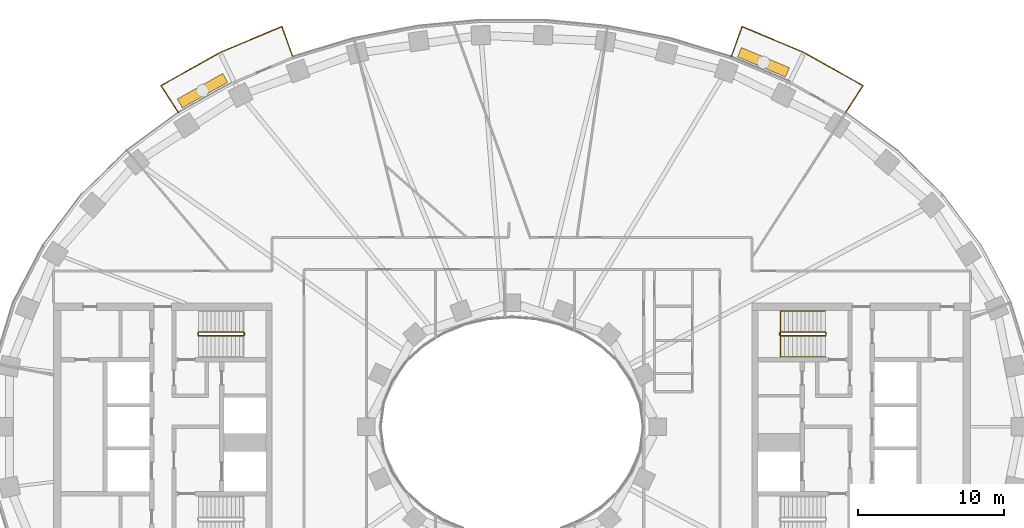
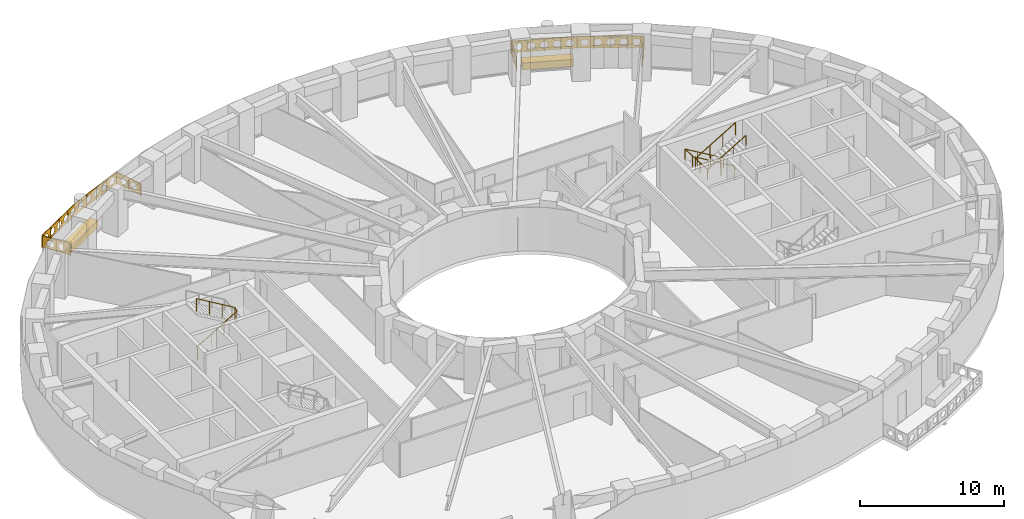
# One storey, part 14 of 15: 5 railings, 2 coverings.
"""IFC4 building model written with IfcOpenShell, lengths in metres."""

from ifc_helpers import new_model, si_unit, direction, frame, origin, origin_2d, place, context, subcontext, project, spatial, polyline, rectangle, outline, extrude, material, type_object, element, save


model = new_model("IFC4")

# Units and contexts
model_context = context("Model", 3, precision=1e-05, world=origin(), true_north=direction((0.0, 1.0)))
body_context = subcontext(model_context, "Body", "Model", "MODEL_VIEW")
ifc_project = project(units=[si_unit("LENGTHUNIT", "METRE"), si_unit("AREAUNIT", "SQUARE_METRE"), si_unit("VOLUMEUNIT", "CUBIC_METRE"), si_unit("PLANEANGLEUNIT", "RADIAN"), si_unit("MASSUNIT", "GRAM", prefix="KILO")], contexts=[model_context])

# Site, building, storey
site_placement = place(None, origin())
site = spatial("IfcSite", under=ifc_project, at=site_placement, CompositionType="ELEMENT")
building_placement = place(site_placement, origin())
building = spatial("IfcBuilding", under=site, at=building_placement, Name="Noorbagh Ring Tower", CompositionType="ELEMENT")
storey_placement = place(building_placement, frame((0.0, 0.0, 104.0)))
storey = spatial("IfcBuildingStorey", under=building, at=storey_placement, Name="L23", CompositionType="ELEMENT", Elevation=104.0)

# Railings
ifc_material_1 = material(Name="Stainless steel", Category="steel")
railing_type_1 = type_object("IfcRailingType", Name="CORE-STAIR-GUARD", PredefinedType="GUARDRAIL", material=ifc_material_1)
railing_1_placement = place(storey_placement, frame((-21.580078125, 6.300048828125, 0.0)))
element("IfcRailing", 1, at=railing_1_placement, inside=storey, type_object=railing_type_1, Name="L23 ST1 stair guard", PredefinedType="GUARDRAIL", context=body_context, shape_type="SweptSolid", body=[
    extrude(rectangle(XDim=0.048095703125, YDim=0.048095703125, at=origin_2d()), frame((0.0, 0.0, 1.076171875), z_axis=(0.0, 1.0, 0.0), x_axis=(-1.0, 0.0, 0.0)), (0.0, 0.0, 1.0), 0.14990234375),
    extrude(rectangle(XDim=0.048095703125, YDim=0.048095703125, at=origin_2d()), frame((0.0, 0.14990234375, 1.076171875), z_axis=(0.188775798145, -0.754182335027, 0.628945707965), x_axis=(0.970072785993, 0.242814311512, 0.0)), (0.0, 0.0, 1.0), 0.26513671875),
    extrude(rectangle(XDim=0.048095703125, YDim=0.048095703125, at=origin_2d()), frame((0.050048828125, -0.050048828125, 1.24267578125), z_axis=(0.859308565015, 0.0, 0.511457515432), x_axis=(0.0, 1.0, 0.0)), (0.0, 0.0, 1.0), 3.58447265625),
    extrude(rectangle(XDim=0.048095703125, YDim=0.048095703125, at=origin_2d()), frame((3.130126953125, -0.050048828125, 3.076171875), z_axis=(0.707106781187, 0.707106781187, 0.0), x_axis=(-0.707106781187, 0.707106781187, 0.0)), (0.0, 0.0, 1.0), 0.07080078125),
    extrude(rectangle(XDim=0.048095703125, YDim=0.048095703125, at=origin_2d()), frame((3.18017578125, 0.0, 3.076171875), z_axis=(0.0, 1.0, 0.0), x_axis=(-1.0, 0.0, 0.0)), (0.0, 0.0, 1.0), 0.14990234375),
    extrude(rectangle(XDim=0.048095703125, YDim=0.048095703125, at=origin_2d()), frame((3.18017578125, 0.14990234375, 3.076171875), z_axis=(-0.27628659633, 0.27628659633, 0.920506074601), x_axis=(-0.707106781187, -0.707106781187, 0.0)), (0.0, 0.0, 1.0), 0.18115234375),
    extrude(rectangle(XDim=0.048095703125, YDim=0.048095703125, at=origin_2d()), frame((3.130126953125, 0.199951171875, 3.24267578125), z_axis=(-0.859308565015, 0.0, 0.511457515432), x_axis=(0.0, -1.0, 0.0)), (0.0, 0.0, 1.0), 3.58447265625),
    extrude(rectangle(XDim=0.0419921875, YDim=0.0419921875, at=origin_2d()), origin(), (0.0, 0.0, 1.0), 1.052001953125),
    extrude(rectangle(XDim=0.0419921875, YDim=0.0419921875, at=origin_2d()), frame((1.07666015625, -0.050048828125, 0.77783203125)), (0.0, 0.0, 1.0), 1.052001953125),
    extrude(rectangle(XDim=0.0419921875, YDim=0.0419921875, at=origin_2d()), frame((2.103515625, -0.050048828125, 1.388916015625)), (0.0, 0.0, 1.0), 1.052001953125),
    extrude(rectangle(XDim=0.0419921875, YDim=0.0419921875, at=origin_2d()), frame((3.130126953125, -0.050048828125, 2.0)), (0.0, 0.0, 1.0), 1.052001953125),
    extrude(rectangle(XDim=0.0419921875, YDim=0.0419921875, at=origin_2d()), frame((3.130126953125, 0.199951171875, 2.166748046875)), (0.0, 0.0, 1.0), 1.052001953125),
    extrude(rectangle(XDim=0.0419921875, YDim=0.0419921875, at=origin_2d()), frame((2.103515625, 0.199951171875, 2.77783203125)), (0.0, 0.0, 1.0), 1.052001953125),
    extrude(rectangle(XDim=0.0419921875, YDim=0.0419921875, at=origin_2d()), frame((1.07666015625, 0.199951171875, 3.388916015625)), (0.0, 0.0, 1.0), 1.052001953125),
    extrude(rectangle(XDim=0.0419921875, YDim=0.0419921875, at=origin_2d()), frame((0.050048828125, 0.199951171875, 4.0)), (0.0, 0.0, 1.0), 1.052001953125),
])
railing_2_placement = place(storey_placement, frame((21.580078125, 6.449951171875, 0.0)))
element("IfcRailing", 2, at=railing_2_placement, inside=storey, type_object=railing_type_1, Name="L23 ST3 stair guard", PredefinedType="GUARDRAIL", context=body_context, shape_type="SweptSolid", body=[
    extrude(rectangle(XDim=0.048095703125, YDim=0.048095703125, at=origin_2d()), frame((0.0, 0.0, 1.076171875), z_axis=(0.0, -1.0, 0.0), x_axis=(1.0, 0.0, 0.0)), (0.0, 0.0, 1.0), 0.14990234375),
    extrude(rectangle(XDim=0.048095703125, YDim=0.048095703125, at=origin_2d()), frame((0.0, -0.14990234375, 1.076171875), z_axis=(-0.188775798145, 0.754182335027, 0.628945707965), x_axis=(-0.970072785993, -0.242814311512, 0.0)), (0.0, 0.0, 1.0), 0.26513671875),
    extrude(rectangle(XDim=0.048095703125, YDim=0.048095703125, at=origin_2d()), frame((-0.050048828125, 0.050048828125, 1.24267578125), z_axis=(-0.859308565015, 0.0, 0.511457515432), x_axis=(0.0, -1.0, 0.0)), (0.0, 0.0, 1.0), 3.58447265625),
    extrude(rectangle(XDim=0.048095703125, YDim=0.048095703125, at=origin_2d()), frame((-3.130126953125, 0.050048828125, 3.076171875), z_axis=(-0.707106781187, -0.707106781187, 0.0), x_axis=(0.707106781187, -0.707106781187, 0.0)), (0.0, 0.0, 1.0), 0.07080078125),
    extrude(rectangle(XDim=0.048095703125, YDim=0.048095703125, at=origin_2d()), frame((-3.18017578125, 0.0, 3.076171875), z_axis=(0.0, -1.0, 0.0), x_axis=(1.0, 0.0, 0.0)), (0.0, 0.0, 1.0), 0.14990234375),
    extrude(rectangle(XDim=0.048095703125, YDim=0.048095703125, at=origin_2d()), frame((-3.18017578125, -0.14990234375, 3.076171875), z_axis=(0.27628659633, -0.27628659633, 0.920506074601), x_axis=(0.707106781187, 0.707106781187, 0.0)), (0.0, 0.0, 1.0), 0.18115234375),
    extrude(rectangle(XDim=0.048095703125, YDim=0.048095703125, at=origin_2d()), frame((-3.130126953125, -0.199951171875, 3.24267578125), z_axis=(0.859308565015, 0.0, 0.511457515432), x_axis=(0.0, 1.0, 0.0)), (0.0, 0.0, 1.0), 3.58447265625),
    extrude(rectangle(XDim=0.0419921875, YDim=0.0419921875, at=origin_2d()), origin(), (0.0, 0.0, 1.0), 1.052001953125),
    extrude(rectangle(XDim=0.0419921875, YDim=0.0419921875, at=origin_2d()), frame((-1.07666015625, 0.050048828125, 0.77783203125)), (0.0, 0.0, 1.0), 1.052001953125),
    extrude(rectangle(XDim=0.0419921875, YDim=0.0419921875, at=origin_2d()), frame((-2.103515625, 0.050048828125, 1.388916015625)), (0.0, 0.0, 1.0), 1.052001953125),
    extrude(rectangle(XDim=0.0419921875, YDim=0.0419921875, at=origin_2d()), frame((-3.130126953125, 0.050048828125, 2.0)), (0.0, 0.0, 1.0), 1.052001953125),
    extrude(rectangle(XDim=0.0419921875, YDim=0.0419921875, at=origin_2d()), frame((-3.130126953125, -0.199951171875, 2.166748046875)), (0.0, 0.0, 1.0), 1.052001953125),
    extrude(rectangle(XDim=0.0419921875, YDim=0.0419921875, at=origin_2d()), frame((-2.103515625, -0.199951171875, 2.77783203125)), (0.0, 0.0, 1.0), 1.052001953125),
    extrude(rectangle(XDim=0.0419921875, YDim=0.0419921875, at=origin_2d()), frame((-1.07666015625, -0.199951171875, 3.388916015625)), (0.0, 0.0, 1.0), 1.052001953125),
    extrude(rectangle(XDim=0.0419921875, YDim=0.0419921875, at=origin_2d()), frame((-0.050048828125, -0.199951171875, 4.0)), (0.0, 0.0, 1.0), 1.052001953125),
])
ifc_material_2 = material(Name="Stainless steel", Category="steel")
railing_type_2 = type_object("IfcRailingType", Name="CORE-STAIR-HANDRAIL", PredefinedType="HANDRAIL", material=ifc_material_2)
railing_3_placement = place(storey_placement, frame((21.530029296875, 7.949951171875, 0.166748046875)))
element("IfcRailing", 3, at=railing_3_placement, inside=storey, type_object=railing_type_2, Name="L23 ST3 stair handrail", PredefinedType="HANDRAIL", context=body_context, shape_type="SweptSolid", body=[
    extrude(rectangle(XDim=0.048095703125, YDim=0.048095703125, at=origin_2d()), frame((0.0, 0.0, 0.8759765625), z_axis=(-0.859308565015, 0.0, 0.511457515432), x_axis=(0.0, -1.0, 0.0)), (0.0, 0.0, 1.0), 3.58447265625),
    extrude(rectangle(XDim=0.048095703125, YDim=0.048095703125, at=origin_2d()), frame((-3.080078125, 0.0, 2.708984375), z_axis=(0.0, -0.998601747152, 0.052863509014), x_axis=(1.0, 0.0, 0.0)), (0.0, 0.0, 1.0), 3.154296875),
    extrude(rectangle(XDim=0.048095703125, YDim=0.048095703125, at=origin_2d()), frame((-3.080078125, -3.14990234375, 2.8759765625), z_axis=(0.859308565015, 0.0, 0.511457515432), x_axis=(0.0, 1.0, 0.0)), (0.0, 0.0, 1.0), 3.58447265625),
    extrude(rectangle(XDim=0.0419921875, YDim=0.0419921875, at=origin_2d()), origin(), (0.0, 0.0, 1.0), 0.851806640625),
    extrude(rectangle(XDim=0.0419921875, YDim=0.0419921875, at=origin_2d()), frame((-1.026611328125, 0.0, 0.611083984375)), (0.0, 0.0, 1.0), 0.851806640625),
    extrude(rectangle(XDim=0.0419921875, YDim=0.0419921875, at=origin_2d()), frame((-2.053466796875, 0.0, 1.22216796875)), (0.0, 0.0, 1.0), 0.851806640625),
    extrude(rectangle(XDim=0.0419921875, YDim=0.0419921875, at=origin_2d()), frame((-3.080078125, 0.0, 1.833251953125)), (0.0, 0.0, 1.0), 0.851806640625),
    extrude(rectangle(XDim=0.0419921875, YDim=0.0419921875, at=origin_2d()), frame((-3.080078125, -1.050048828125, 1.888916015625)), (0.0, 0.0, 1.0), 0.851806640625),
    extrude(rectangle(XDim=0.0419921875, YDim=0.0419921875, at=origin_2d()), frame((-3.080078125, -2.099853515625, 1.9443359375)), (0.0, 0.0, 1.0), 0.851806640625),
    extrude(rectangle(XDim=0.0419921875, YDim=0.0419921875, at=origin_2d()), frame((-3.080078125, -3.14990234375, 2.0)), (0.0, 0.0, 1.0), 0.851806640625),
    extrude(rectangle(XDim=0.0419921875, YDim=0.0419921875, at=origin_2d()), frame((-2.053466796875, -3.14990234375, 2.611083984375)), (0.0, 0.0, 1.0), 0.851806640625),
    extrude(rectangle(XDim=0.0419921875, YDim=0.0419921875, at=origin_2d()), frame((-1.026611328125, -3.14990234375, 3.22216796875)), (0.0, 0.0, 1.0), 0.851806640625),
    extrude(rectangle(XDim=0.0419921875, YDim=0.0419921875, at=origin_2d()), frame((0.0, -3.14990234375, 3.833251953125)), (0.0, 0.0, 1.0), 0.851806640625),
])
ifc_material_3 = material(Name="Steel S275 black powder-coated", Category="steel")
railing_type_3 = type_object("IfcRailingType", Name="ENV-GUARD", PredefinedType="GUARDRAIL", material=ifc_material_3)
railing_4_placement = place(storey_placement, frame((22.9326171875, 21.583740234375, 0.0)))
element("IfcRailing", 4, at=railing_4_placement, inside=storey, type_object=railing_type_3, Name="Balcony guard BN02", PredefinedType="GUARDRAIL", context=body_context, shape_type="SweptSolid", body=[
    extrude(rectangle(XDim=0.048095703125, YDim=0.048095703125, at=origin_2d()), frame((0.0, 0.0, 1.076171875), z_axis=(0.542268136821, 0.840205491406, 0.0), x_axis=(-0.840205491406, 0.542268136821, 0.0)), (0.0, 0.0, 1.0), 2.204345703125),
    extrude(rectangle(XDim=0.048095703125, YDim=0.048095703125, at=origin_2d()), frame((1.1953125, 1.85205078125, 1.076171875), z_axis=(-0.872052247658, 0.489412788303, 0.0), x_axis=(-0.489412788303, -0.872052247658, 0.0)), (0.0, 0.0, 1.0), 4.646240234375),
    extrude(rectangle(XDim=0.048095703125, YDim=0.048095703125, at=origin_2d()), frame((-2.8564453125, 4.1259765625, 1.076171875), z_axis=(-0.921809087722, 0.387644174203, 0.0), x_axis=(-0.387644174203, -0.921809087722, 0.0)), (0.0, 0.0, 1.0), 4.627197265625),
    extrude(rectangle(XDim=0.048095703125, YDim=0.048095703125, at=origin_2d()), frame((-7.121826171875, 5.919677734375, 1.076171875), z_axis=(-0.338350546839, -0.941020141896, 0.0), x_axis=(0.941020141896, -0.338350546839, 0.0)), (0.0, 0.0, 1.0), 2.202880859375),
    extrude(rectangle(XDim=0.0419921875, YDim=0.0419921875, at=origin_2d()), origin(), (0.0, 0.0, 1.0), 1.052001953125),
    extrude(rectangle(XDim=0.0419921875, YDim=0.0419921875, at=origin_2d()), frame((0.59765625, 0.926025390625, 0.0)), (0.0, 0.0, 1.0), 1.052001953125),
    extrude(rectangle(XDim=0.0419921875, YDim=0.0419921875, at=origin_2d()), frame((1.1953125, 1.85205078125, 0.0)), (0.0, 0.0, 1.0), 1.052001953125),
    extrude(rectangle(XDim=0.0419921875, YDim=0.0419921875, at=origin_2d()), frame((0.182373046875, 2.42041015625, 0.0)), (0.0, 0.0, 1.0), 1.052001953125),
    extrude(rectangle(XDim=0.0419921875, YDim=0.0419921875, at=origin_2d()), frame((-0.83056640625, 2.989013671875, 0.0)), (0.0, 0.0, 1.0), 1.052001953125),
    extrude(rectangle(XDim=0.0419921875, YDim=0.0419921875, at=origin_2d()), frame((-1.843505859375, 3.5576171875, 0.0)), (0.0, 0.0, 1.0), 1.052001953125),
    extrude(rectangle(XDim=0.0419921875, YDim=0.0419921875, at=origin_2d()), frame((-2.8564453125, 4.1259765625, 0.0)), (0.0, 0.0, 1.0), 1.052001953125),
    extrude(rectangle(XDim=0.0419921875, YDim=0.0419921875, at=origin_2d()), frame((-3.9228515625, 4.574462890625, 0.0)), (0.0, 0.0, 1.0), 1.052001953125),
    extrude(rectangle(XDim=0.0419921875, YDim=0.0419921875, at=origin_2d()), frame((-4.9892578125, 5.02294921875, 0.0)), (0.0, 0.0, 1.0), 1.052001953125),
    extrude(rectangle(XDim=0.0419921875, YDim=0.0419921875, at=origin_2d()), frame((-6.055419921875, 5.47119140625, 0.0)), (0.0, 0.0, 1.0), 1.052001953125),
    extrude(rectangle(XDim=0.0419921875, YDim=0.0419921875, at=origin_2d()), frame((-7.121826171875, 5.919677734375, 0.0)), (0.0, 0.0, 1.0), 1.052001953125),
    extrude(rectangle(XDim=0.0419921875, YDim=0.0419921875, at=origin_2d()), frame((-7.49462890625, 4.88330078125, 0.0)), (0.0, 0.0, 1.0), 1.052001953125),
    extrude(rectangle(XDim=0.0419921875, YDim=0.0419921875, at=origin_2d()), frame((-7.8671875, 3.8466796875, 0.0)), (0.0, 0.0, 1.0), 1.052001953125),
    extrude(outline(polyline([(0.0, 0.10009765625), (2.204345703125, 0.10009765625), (2.204345703125, 1.031982421875), (0.0, 1.031982421875), (0.0, 0.10009765625)]), holes=[polyline([(0.962158203125, 0.56591796875), (0.80712890625, 0.83447265625), (0.4970703125, 0.83447265625), (0.342041015625, 0.56591796875), (0.4970703125, 0.297607421875), (0.80712890625, 0.297607421875), (0.962158203125, 0.56591796875)]), polyline([(1.862060546875, 0.56591796875), (1.70703125, 0.83447265625), (1.397216796875, 0.83447265625), (1.2421875, 0.56591796875), (1.397216796875, 0.297607421875), (1.70703125, 0.297607421875), (1.862060546875, 0.56591796875)])]), frame((-0.00830078125, 0.00537109375, 0.0), z_axis=(0.840205491406, -0.542268136821, 0.0), x_axis=(0.542268136821, 0.840205491406, 0.0)), (0.0, 0.0, 1.0), 0.02001953125),
    extrude(outline(polyline([(0.0, 0.10009765625), (4.646240234375, 0.10009765625), (4.646240234375, 1.031982421875), (0.0, 1.031982421875), (0.0, 0.10009765625)]), holes=[polyline([(0.8330078125, 0.56591796875), (0.67822265625, 0.83447265625), (0.3681640625, 0.83447265625), (0.213134765625, 0.56591796875), (0.3681640625, 0.297607421875), (0.67822265625, 0.297607421875), (0.8330078125, 0.56591796875)]), polyline([(1.733154296875, 0.56591796875), (1.578125, 0.83447265625), (1.26806640625, 0.83447265625), (1.113037109375, 0.56591796875), (1.26806640625, 0.297607421875), (1.578125, 0.297607421875), (1.733154296875, 0.56591796875)]), polyline([(2.633056640625, 0.56591796875), (2.47802734375, 0.83447265625), (2.168212890625, 0.83447265625), (2.01318359375, 0.56591796875), (2.168212890625, 0.297607421875), (2.47802734375, 0.297607421875), (2.633056640625, 0.56591796875)]), polyline([(3.533203125, 0.56591796875), (3.378173828125, 0.83447265625), (3.068115234375, 0.83447265625), (2.9130859375, 0.56591796875), (3.068115234375, 0.297607421875), (3.378173828125, 0.297607421875), (3.533203125, 0.56591796875)]), polyline([(4.43310546875, 0.56591796875), (4.278076171875, 0.83447265625), (3.968017578125, 0.83447265625), (3.813232421875, 0.56591796875), (3.968017578125, 0.297607421875), (4.278076171875, 0.297607421875), (4.43310546875, 0.56591796875)])]), frame((1.1904296875, 1.84326171875, 0.0), z_axis=(0.489412788303, 0.872052247658, 0.0), x_axis=(-0.872052247658, 0.489412788303, 0.0)), (0.0, 0.0, 1.0), 0.02001953125),
    extrude(outline(polyline([(0.0, 0.10009765625), (4.627197265625, 0.10009765625), (4.627197265625, 1.031982421875), (0.0, 1.031982421875), (0.0, 0.10009765625)]), holes=[polyline([(0.823486328125, 0.56591796875), (0.668701171875, 0.83447265625), (0.358642578125, 0.83447265625), (0.20361328125, 0.56591796875), (0.358642578125, 0.297607421875), (0.668701171875, 0.297607421875), (0.823486328125, 0.56591796875)]), polyline([(1.7236328125, 0.56591796875), (1.568603515625, 0.83447265625), (1.258544921875, 0.83447265625), (1.103515625, 0.56591796875), (1.258544921875, 0.297607421875), (1.568603515625, 0.297607421875), (1.7236328125, 0.56591796875)]), polyline([(2.62353515625, 0.56591796875), (2.468505859375, 0.83447265625), (2.15869140625, 0.83447265625), (2.003662109375, 0.56591796875), (2.15869140625, 0.297607421875), (2.468505859375, 0.297607421875), (2.62353515625, 0.56591796875)]), polyline([(3.523681640625, 0.56591796875), (3.36865234375, 0.83447265625), (3.05859375, 0.83447265625), (2.903564453125, 0.56591796875), (3.05859375, 0.297607421875), (3.36865234375, 0.297607421875), (3.523681640625, 0.56591796875)]), polyline([(4.423583984375, 0.56591796875), (4.2685546875, 0.83447265625), (3.95849609375, 0.83447265625), (3.8037109375, 0.56591796875), (3.95849609375, 0.297607421875), (4.2685546875, 0.297607421875), (4.423583984375, 0.56591796875)])]), frame((-2.8603515625, 4.11669921875, 0.0), z_axis=(0.387644174203, 0.921809087722, 0.0), x_axis=(-0.921809087722, 0.387644174203, 0.0)), (0.0, 0.0, 1.0), 0.02001953125),
    extrude(outline(polyline([(0.0, 0.10009765625), (2.202880859375, 0.10009765625), (2.202880859375, 1.031982421875), (0.0, 1.031982421875), (0.0, 0.10009765625)]), holes=[polyline([(0.96142578125, 0.56591796875), (0.806396484375, 0.83447265625), (0.49658203125, 0.83447265625), (0.341552734375, 0.56591796875), (0.49658203125, 0.297607421875), (0.806396484375, 0.297607421875), (0.96142578125, 0.56591796875)]), polyline([(1.861572265625, 0.56591796875), (1.70654296875, 0.83447265625), (1.396484375, 0.83447265625), (1.241455078125, 0.56591796875), (1.396484375, 0.297607421875), (1.70654296875, 0.297607421875), (1.861572265625, 0.56591796875)])]), frame((-7.1123046875, 5.916259765625, 0.0), z_axis=(-0.941020141896, 0.338350546839, 0.0), x_axis=(-0.338350546839, -0.941020141896, 0.0)), (0.0, 0.0, 1.0), 0.02001953125),
])
railing_5_placement = place(storey_placement, frame((-15.0654296875, 25.430419921875, 0.0)))
element("IfcRailing", 5, at=railing_5_placement, inside=storey, type_object=railing_type_3, Name="Balcony guard BN05", PredefinedType="GUARDRAIL", context=body_context, shape_type="SweptSolid", body=[
    extrude(rectangle(XDim=0.048095703125, YDim=0.048095703125, at=origin_2d()), frame((0.0, 0.0, 1.076171875), z_axis=(-0.338350546839, 0.941020141896, 0.0), x_axis=(-0.941020141896, -0.338350546839, 0.0)), (0.0, 0.0, 1.0), 2.202880859375),
    extrude(rectangle(XDim=0.048095703125, YDim=0.048095703125, at=origin_2d()), frame((-0.745361328125, 2.072998046875, 1.076171875), z_axis=(-0.921809087722, -0.387644174203, 0.0), x_axis=(0.387644174203, -0.921809087722, 0.0)), (0.0, 0.0, 1.0), 4.627197265625),
    extrude(rectangle(XDim=0.048095703125, YDim=0.048095703125, at=origin_2d()), frame((-5.0107421875, 0.279296875, 1.076171875), z_axis=(-0.872052247658, -0.489412788303, 0.0), x_axis=(0.489412788303, -0.872052247658, 0.0)), (0.0, 0.0, 1.0), 4.646240234375),
    extrude(rectangle(XDim=0.048095703125, YDim=0.048095703125, at=origin_2d()), frame((-9.0625, -1.99462890625, 1.076171875), z_axis=(0.542268136821, -0.840205491406, 0.0), x_axis=(0.840205491406, 0.542268136821, 0.0)), (0.0, 0.0, 1.0), 2.204345703125),
    extrude(rectangle(XDim=0.0419921875, YDim=0.0419921875, at=origin_2d()), origin(), (0.0, 0.0, 1.0), 1.052001953125),
    extrude(rectangle(XDim=0.0419921875, YDim=0.0419921875, at=origin_2d()), frame((-0.37255859375, 1.03662109375, 0.0)), (0.0, 0.0, 1.0), 1.052001953125),
    extrude(rectangle(XDim=0.0419921875, YDim=0.0419921875, at=origin_2d()), frame((-0.745361328125, 2.072998046875, 0.0)), (0.0, 0.0, 1.0), 1.052001953125),
    extrude(rectangle(XDim=0.0419921875, YDim=0.0419921875, at=origin_2d()), frame((-1.811767578125, 1.62451171875, 0.0)), (0.0, 0.0, 1.0), 1.052001953125),
    extrude(rectangle(XDim=0.0419921875, YDim=0.0419921875, at=origin_2d()), frame((-2.8779296875, 1.17626953125, 0.0)), (0.0, 0.0, 1.0), 1.052001953125),
    extrude(rectangle(XDim=0.0419921875, YDim=0.0419921875, at=origin_2d()), frame((-3.9443359375, 0.727783203125, 0.0)), (0.0, 0.0, 1.0), 1.052001953125),
    extrude(rectangle(XDim=0.0419921875, YDim=0.0419921875, at=origin_2d()), frame((-5.0107421875, 0.279296875, 0.0)), (0.0, 0.0, 1.0), 1.052001953125),
    extrude(rectangle(XDim=0.0419921875, YDim=0.0419921875, at=origin_2d()), frame((-6.023681640625, -0.2890625, 0.0)), (0.0, 0.0, 1.0), 1.052001953125),
    extrude(rectangle(XDim=0.0419921875, YDim=0.0419921875, at=origin_2d()), frame((-7.03662109375, -0.857666015625, 0.0)), (0.0, 0.0, 1.0), 1.052001953125),
    extrude(rectangle(XDim=0.0419921875, YDim=0.0419921875, at=origin_2d()), frame((-8.049560546875, -1.42626953125, 0.0)), (0.0, 0.0, 1.0), 1.052001953125),
    extrude(rectangle(XDim=0.0419921875, YDim=0.0419921875, at=origin_2d()), frame((-9.0625, -1.99462890625, 0.0)), (0.0, 0.0, 1.0), 1.052001953125),
    extrude(rectangle(XDim=0.0419921875, YDim=0.0419921875, at=origin_2d()), frame((-8.46484375, -2.920654296875, 0.0)), (0.0, 0.0, 1.0), 1.052001953125),
    extrude(rectangle(XDim=0.0419921875, YDim=0.0419921875, at=origin_2d()), frame((-7.8671875, -3.8466796875, 0.0)), (0.0, 0.0, 1.0), 1.052001953125),
    extrude(outline(polyline([(0.0, 0.10009765625), (2.202880859375, 0.10009765625), (2.202880859375, 1.031982421875), (0.0, 1.031982421875), (0.0, 0.10009765625)]), holes=[polyline([(0.96142578125, 0.56591796875), (0.806396484375, 0.83447265625), (0.49658203125, 0.83447265625), (0.341552734375, 0.56591796875), (0.49658203125, 0.297607421875), (0.806396484375, 0.297607421875), (0.96142578125, 0.56591796875)]), polyline([(1.861572265625, 0.56591796875), (1.70654296875, 0.83447265625), (1.396484375, 0.83447265625), (1.241455078125, 0.56591796875), (1.396484375, 0.297607421875), (1.70654296875, 0.297607421875), (1.861572265625, 0.56591796875)])]), frame((-0.009521484375, -0.00341796875, 0.0), z_axis=(0.941020141896, 0.338350546839, 0.0), x_axis=(-0.338350546839, 0.941020141896, 0.0)), (0.0, 0.0, 1.0), 0.02001953125),
    extrude(outline(polyline([(0.0, 0.10009765625), (4.627197265625, 0.10009765625), (4.627197265625, 1.031982421875), (0.0, 1.031982421875), (0.0, 0.10009765625)]), holes=[polyline([(0.823486328125, 0.56591796875), (0.668701171875, 0.83447265625), (0.358642578125, 0.83447265625), (0.20361328125, 0.56591796875), (0.358642578125, 0.297607421875), (0.668701171875, 0.297607421875), (0.823486328125, 0.56591796875)]), polyline([(1.7236328125, 0.56591796875), (1.568603515625, 0.83447265625), (1.258544921875, 0.83447265625), (1.103515625, 0.56591796875), (1.258544921875, 0.297607421875), (1.568603515625, 0.297607421875), (1.7236328125, 0.56591796875)]), polyline([(2.62353515625, 0.56591796875), (2.468505859375, 0.83447265625), (2.15869140625, 0.83447265625), (2.003662109375, 0.56591796875), (2.15869140625, 0.297607421875), (2.468505859375, 0.297607421875), (2.62353515625, 0.56591796875)]), polyline([(3.523681640625, 0.56591796875), (3.36865234375, 0.83447265625), (3.05859375, 0.83447265625), (2.903564453125, 0.56591796875), (3.05859375, 0.297607421875), (3.36865234375, 0.297607421875), (3.523681640625, 0.56591796875)]), polyline([(4.423583984375, 0.56591796875), (4.2685546875, 0.83447265625), (3.95849609375, 0.83447265625), (3.8037109375, 0.56591796875), (3.95849609375, 0.297607421875), (4.2685546875, 0.297607421875), (4.423583984375, 0.56591796875)])]), frame((-0.741455078125, 2.063720703125, 0.0), z_axis=(-0.387644174203, 0.921809087722, 0.0), x_axis=(-0.921809087722, -0.387644174203, 0.0)), (0.0, 0.0, 1.0), 0.02001953125),
    extrude(outline(polyline([(0.0, 0.10009765625), (4.646240234375, 0.10009765625), (4.646240234375, 1.031982421875), (0.0, 1.031982421875), (0.0, 0.10009765625)]), holes=[polyline([(0.8330078125, 0.56591796875), (0.67822265625, 0.83447265625), (0.3681640625, 0.83447265625), (0.213134765625, 0.56591796875), (0.3681640625, 0.297607421875), (0.67822265625, 0.297607421875), (0.8330078125, 0.56591796875)]), polyline([(1.733154296875, 0.56591796875), (1.578125, 0.83447265625), (1.26806640625, 0.83447265625), (1.113037109375, 0.56591796875), (1.26806640625, 0.297607421875), (1.578125, 0.297607421875), (1.733154296875, 0.56591796875)]), polyline([(2.633056640625, 0.56591796875), (2.47802734375, 0.83447265625), (2.168212890625, 0.83447265625), (2.01318359375, 0.56591796875), (2.168212890625, 0.297607421875), (2.47802734375, 0.297607421875), (2.633056640625, 0.56591796875)]), polyline([(3.533203125, 0.56591796875), (3.378173828125, 0.83447265625), (3.068115234375, 0.83447265625), (2.9130859375, 0.56591796875), (3.068115234375, 0.297607421875), (3.378173828125, 0.297607421875), (3.533203125, 0.56591796875)]), polyline([(4.43310546875, 0.56591796875), (4.278076171875, 0.83447265625), (3.968017578125, 0.83447265625), (3.813232421875, 0.56591796875), (3.968017578125, 0.297607421875), (4.278076171875, 0.297607421875), (4.43310546875, 0.56591796875)])]), frame((-5.005859375, 0.2705078125, 0.0), z_axis=(-0.489412788303, 0.872052247658, 0.0), x_axis=(-0.872052247658, -0.489412788303, 0.0)), (0.0, 0.0, 1.0), 0.02001953125),
    extrude(outline(polyline([(0.0, 0.10009765625), (2.204345703125, 0.10009765625), (2.204345703125, 1.031982421875), (0.0, 1.031982421875), (0.0, 0.10009765625)]), holes=[polyline([(0.962158203125, 0.56591796875), (0.80712890625, 0.83447265625), (0.4970703125, 0.83447265625), (0.342041015625, 0.56591796875), (0.4970703125, 0.297607421875), (0.80712890625, 0.297607421875), (0.962158203125, 0.56591796875)]), polyline([(1.862060546875, 0.56591796875), (1.70703125, 0.83447265625), (1.397216796875, 0.83447265625), (1.2421875, 0.56591796875), (1.397216796875, 0.297607421875), (1.70703125, 0.297607421875), (1.862060546875, 0.56591796875)])]), frame((-9.05419921875, -1.9892578125, 0.0), z_axis=(-0.840205491406, -0.542268136821, 0.0), x_axis=(0.542268136821, -0.840205491406, 0.0)), (0.0, 0.0, 1.0), 0.02001953125),
])

# Coverings
ifc_material_4 = material(Name="Concrete C30/37 planter with soil", Category="concrete")
covering_type = type_object("IfcCoveringType", Name="ENV-PLANTER", PredefinedType="CLADDING", material=ifc_material_4)
covering_1_placement = place(storey_placement, frame((17.280517578125, 25.041259765625, 0.0), z_axis=(0.0, 0.0, 1.0), x_axis=(-0.921811566494, 0.387638279686, 0.0)))
element("IfcCovering", 6, at=covering_1_placement, inside=storey, type_object=covering_type, Name="PLANTER BN02", ObjectType="PLANTER", PredefinedType="CLADDING", context=body_context, shape_type="SweptSolid", body=[
    extrude(rectangle(XDim=3.5859375, YDim=0.699951171875, at=origin_2d()), origin(), (0.0, 0.0, 1.0), 0.60009765625),
])
covering_2_placement = place(storey_placement, frame((-21.26513671875, 23.093017578125, 0.0), z_axis=(0.0, 0.0, 1.0), x_axis=(-0.872044586249, -0.48942643941, 0.0)))
element("IfcCovering", 7, at=covering_2_placement, inside=storey, type_object=covering_type, Name="PLANTER BN05", ObjectType="PLANTER", PredefinedType="CLADDING", context=body_context, shape_type="SweptSolid", body=[
    extrude(rectangle(XDim=3.58544921875, YDim=0.699951171875, at=origin_2d()), origin(), (0.0, 0.0, 1.0), 0.60009765625),
])

save(model, "model.ifc")
